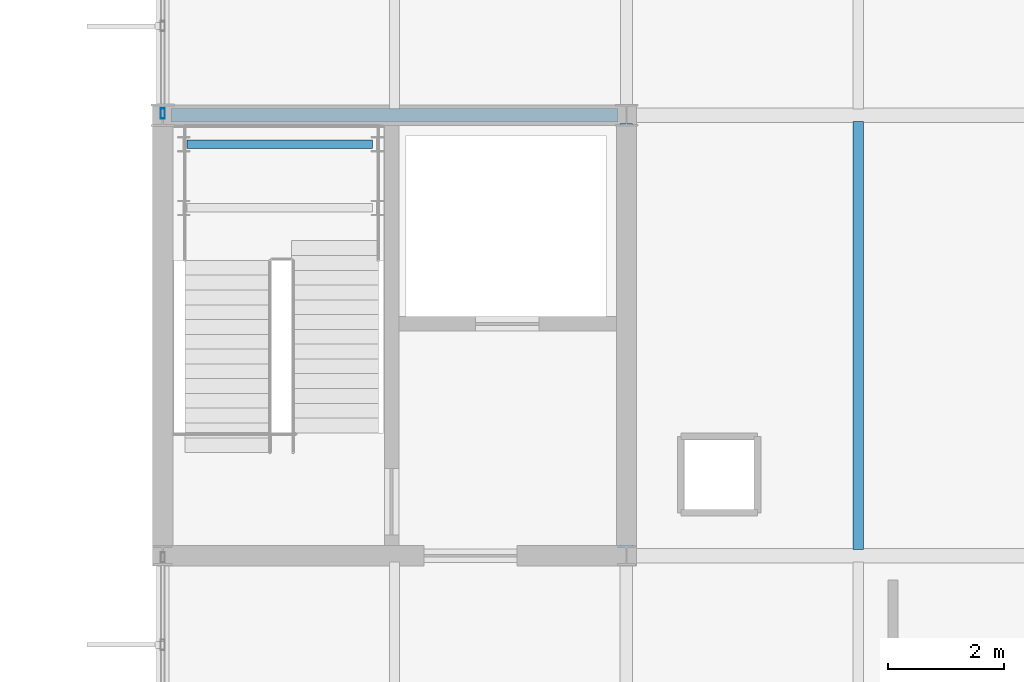
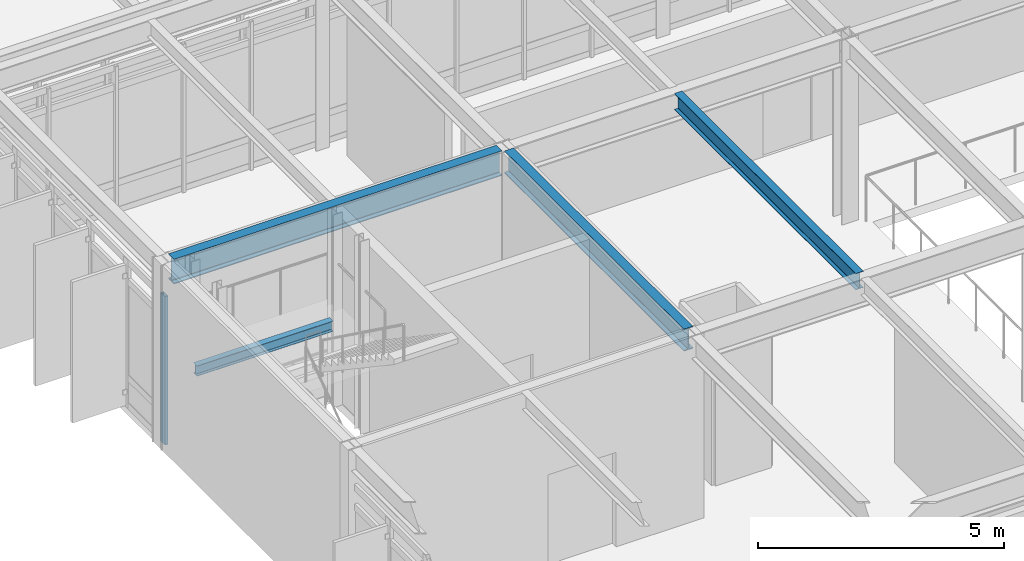
# One storey, part 45 of 104: 4 beams, 1 member, 1 element without a shape of its own.
"""IFC4 building model written with IfcOpenShell, lengths in metres."""

from ifc_helpers import new_model, si_unit, direction, frame, origin, origin_2d, place, context, subcontext, project, spatial, hollow_rectangle, i_section, extrude, material, material_profile, profile_set, type_object, element, aggregate, save


model = new_model("IFC4")

# Units and contexts
model_context = context("Model", 3, precision=1e-05, world=origin(), true_north=direction((0.0, 1.0)))
body_context = subcontext(model_context, "Body", "Model", "MODEL_VIEW")
ifc_project = project(units=[si_unit("LENGTHUNIT", "METRE"), si_unit("AREAUNIT", "SQUARE_METRE"), si_unit("VOLUMEUNIT", "CUBIC_METRE"), si_unit("PLANEANGLEUNIT", "RADIAN"), si_unit("MASSUNIT", "GRAM", prefix="KILO")], contexts=[model_context])

# Site, building, storey
site_placement = place(None, origin())
site = spatial("IfcSite", under=ifc_project, at=site_placement, CompositionType="ELEMENT")
building_placement = place(site_placement, origin())
building = spatial("IfcBuilding", under=site, at=building_placement, Name="Zulena Civic Courthouse", CompositionType="ELEMENT")
storey_placement = place(building_placement, frame((0.0, 0.0, 10.800048828125)))
storey = spatial("IfcBuildingStorey", under=building, at=storey_placement, Name="L02", CompositionType="ELEMENT", Elevation=10.800048828125)

# Curtain wall, member
ifc_material_1 = material(Name="Double-silver low-E laminated solar-control glass", Category="glass")
curtain_wall_type = type_object("IfcCurtainWallType", Name="CW_7540x3690", PredefinedType="USERDEFINED", material=ifc_material_1)
curtain_wall_placement = place(storey_placement, origin())
curtain_wall = element("IfcCurtainWall", 1, at=curtain_wall_placement, inside=storey, type_object=curtain_wall_type, Name="cw:V4:L02:0:3", ObjectType="UNITISED CURTAIN WALL", PredefinedType="USERDEFINED")
ifc_material_2 = material(Name="Bronze anodised thermally broken aluminium AA6063-T6", Category="aluminium")
ifc_material_profile_1 = material_profile(ifc_material_2, hollow_rectangle(XDim=0.074951171875, YDim=0.179931640625, WallThickness=0.0048828125, at=origin_2d()), Name="CWM180X75X5")
ifc_profile_set_1 = profile_set([ifc_material_profile_1], Name="Bronze anodised thermally broken aluminium AA6063-T6")
member_type = type_object("IfcMemberType", Name="CWMullion_180x75", PredefinedType="MULLION", material=ifc_profile_set_1)
member_placement = place(storey_placement, frame((68.0, 38.030029296875, 0.0), z_axis=(0.0, 0.0, 1.0), x_axis=(1.0, 0.0, 0.0)))
member = element("IfcMember", 2, at=member_placement, type_object=member_type, Name="cw:V4:L02:0:3:mull:0", PredefinedType="MULLION", context=body_context, shape_type="SweptSolid", body=[
    extrude(hollow_rectangle(XDim=0.074951171875, YDim=0.179931640625, WallThickness=0.0048828125, at=origin_2d()), origin(), (0.0, 0.0, 1.0), 3.68994140625),
])
aggregate(curtain_wall, [member])

# Beams
ifc_material_3 = material(Name="Steel ASTM A992 Grade 50", Category="steel")
ifc_material_profile_2 = material_profile(ifc_material_3, i_section(OverallWidth=0.214111328125, OverallDepth=0.549072265625, WebThickness=0.0146484375, FlangeThickness=0.023681640625, FilletRadius=0.0126953125, at=origin_2d()), Name="W21X93")
ifc_profile_set_2 = profile_set([ifc_material_profile_2], Name="Steel ASTM A992 Grade 50")
beam_type_1 = type_object("IfcBeamType", Name="Girder_W21X93", PredefinedType="BEAM", material=ifc_profile_set_2)
beam_1_placement = place(storey_placement, frame((76.0, 30.544921875, 4.3154296875), z_axis=(0.0, 1.0, 0.0), x_axis=(-1.0, 0.0, 0.0)))
element("IfcBeam", 3, at=beam_1_placement, inside=storey, type_object=beam_type_1, Name="beam:Y:V4:L02:76.0:30.4_38.0", PredefinedType="BEAM", context=body_context, shape_type="SweptSolid", body=[
    extrude(i_section(OverallWidth=0.214111328125, OverallDepth=0.549072265625, WebThickness=0.0146484375, FlangeThickness=0.023681640625, FilletRadius=0.0126953125, at=origin_2d()), origin(), (0.0, 0.0, 1.0), 7.31005859375),
])
ifc_material_profile_3 = material_profile(ifc_material_3, i_section(OverallWidth=0.14599609375, OverallDepth=0.258056640625, WebThickness=0.006103515625, FlangeThickness=0.009033203125, FilletRadius=0.007568359375, at=origin_2d()), Name="W10X22")
ifc_profile_set_3 = profile_set([ifc_material_profile_3], Name="Steel ASTM A992 Grade 50")
beam_type_2 = type_object("IfcBeamType", Name="Joist_W10X22", PredefinedType="JOIST", material=ifc_profile_set_3)
beam_2_placement = place(storey_placement, frame((68.419921875, 37.5, 1.990966796875), z_axis=(1.0, 0.0, 0.0), x_axis=(0.0, 1.0, 0.0)))
element("IfcBeam", 4, at=beam_2_placement, inside=storey, type_object=beam_type_2, Name="beam:lnd:K4A:L02:1", PredefinedType="JOIST", context=body_context, shape_type="SweptSolid", body=[
    extrude(i_section(OverallWidth=0.14599609375, OverallDepth=0.258056640625, WebThickness=0.006103515625, FlangeThickness=0.009033203125, FilletRadius=0.007568359375, at=origin_2d()), origin(), (0.0, 0.0, 1.0), 3.2001953125),
])
ifc_material_profile_4 = material_profile(ifc_material_3, i_section(OverallWidth=0.177978515625, OverallDepth=0.406005859375, WebThickness=0.0078125, FlangeThickness=0.0126953125, FilletRadius=0.01025390625, at=origin_2d()), Name="W16X40")
ifc_profile_set_4 = profile_set([ifc_material_profile_4], Name="Steel ASTM A992 Grade 50")
beam_type_3 = type_object("IfcBeamType", Name="Joist_W16X40", PredefinedType="JOIST", material=ifc_profile_set_4)
beam_3_placement = place(storey_placement, frame((80.0, 30.5048828125, 4.386962890625), z_axis=(0.0, 1.0, 0.0), x_axis=(-1.0, 0.0, 0.0)))
element("IfcBeam", 5, at=beam_3_placement, inside=storey, type_object=beam_type_3, Name="joist:V4:L02:80.00:30.4_38.0", PredefinedType="JOIST", context=body_context, shape_type="SweptSolid", body=[
    extrude(i_section(OverallWidth=0.177978515625, OverallDepth=0.406005859375, WebThickness=0.0078125, FlangeThickness=0.0126953125, FilletRadius=0.01025390625, at=origin_2d()), origin(), (0.0, 0.0, 1.0), 7.39013671875),
])
ifc_material_profile_5 = material_profile(ifc_material_3, i_section(OverallWidth=0.22998046875, OverallDepth=0.616943359375, WebThickness=0.01318359375, FlangeThickness=0.022216796875, FilletRadius=0.0126953125, at=origin_2d()), Name="W24X94")
ifc_profile_set_5 = profile_set([ifc_material_profile_5], Name="Steel ASTM A992 Grade 50")
beam_type_4 = type_object("IfcBeamType", Name="Spandrel_W24X94", PredefinedType="SPANDREL", material=ifc_profile_set_5)
beam_4_placement = place(storey_placement, frame((68.14501953125, 38.0, 4.281494140625), z_axis=(1.0, 0.0, 0.0), x_axis=(0.0, 1.0, 0.0)))
element("IfcBeam", 6, at=beam_4_placement, inside=storey, type_object=beam_type_4, Name="beam:X:V4:L02:38.0:68.0_76.0", PredefinedType="SPANDREL", context=body_context, shape_type="SweptSolid", body=[
    extrude(i_section(OverallWidth=0.22998046875, OverallDepth=0.616943359375, WebThickness=0.01318359375, FlangeThickness=0.022216796875, FilletRadius=0.0126953125, at=origin_2d()), origin(), (0.0, 0.0, 1.0), 7.7099609375),
])

save(model, "model.ifc")
